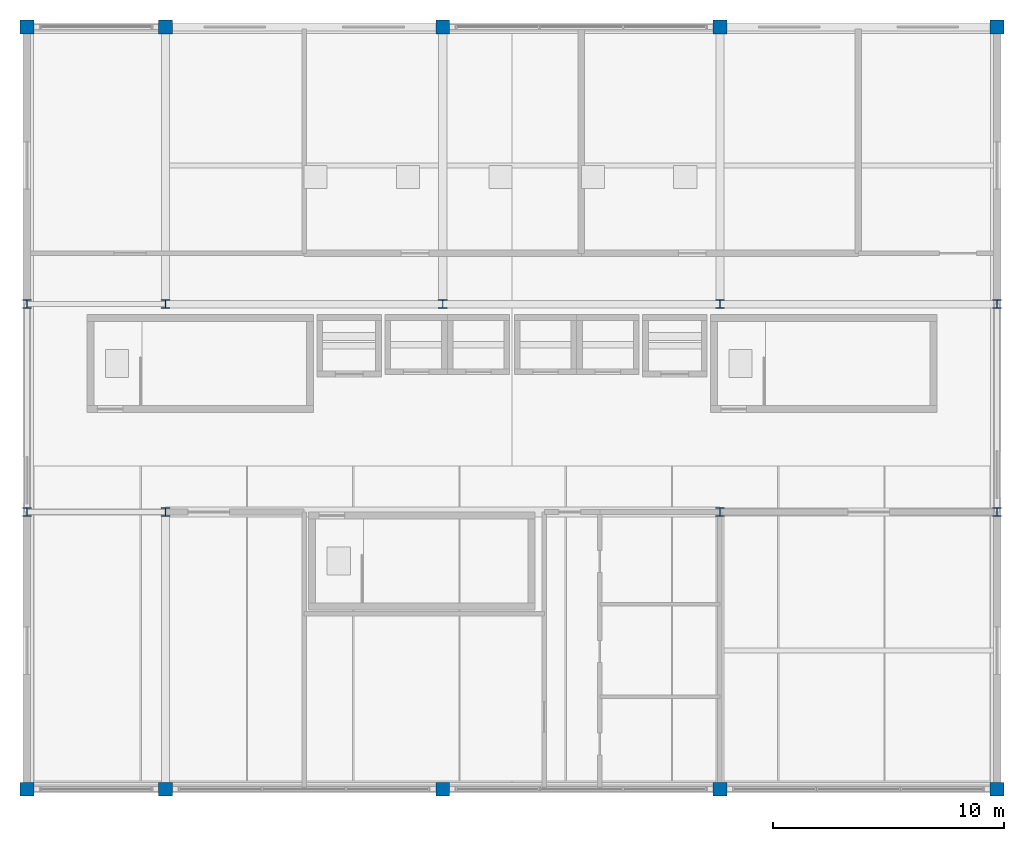
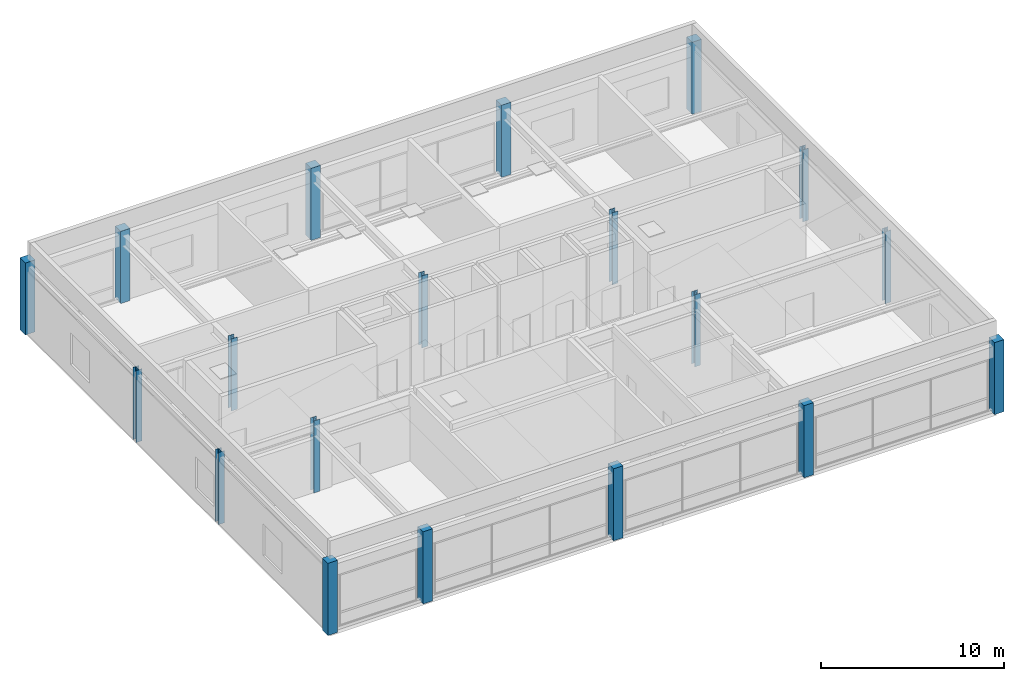
# One storey, part 1 of 16: 19 columns.
"""IFC4 building model written with IfcOpenShell, lengths in metres."""

import ifcopenshell
import ifcopenshell.guid

model = None  # the IFC model being written
_history = None  # IfcOwnerHistory: only IFC2X3 demands one
_inside = {}  # id of a spatial element -> (the spatial element, [elements in it])
_under = {}  # id of a project, library or spatial element -> (it, [spatial elements below it])
_declared = {}  # id of a project -> (the project, [libraries it declares])
_typed = {}  # id of a type object -> (the type object, [elements of that type])
_made_of = {}  # id of a material, layer set ... -> (it, [elements and type objects made of it])


def new_model(schema):
    """Start an empty IFC model of exactly this schema.

    Asked for "IFC4X3", IfcOpenShell would pick the latest addendum, in which some entities
    have other attributes; the version numbers below select the first issue.
    IFC2X3 requires an IfcOwnerHistory on every rooted entity: one is made here for all.
    """
    global model, _history
    if schema == "IFC4X3":
        model = ifcopenshell.file(schema_version=(4, 3, 0, 0))
    else:
        model = ifcopenshell.file(schema=schema)
    _inside.clear()
    _under.clear()
    _declared.clear()
    _typed.clear()
    _made_of.clear()
    _history = None
    if model.schema == "IFC2X3":
        org = make("IfcOrganization", Name="unknown")
        user = make(
            "IfcPersonAndOrganization",
            ThePerson=make("IfcPerson", FamilyName="unknown"),
            TheOrganization=org,
        )
        app = make(
            "IfcApplication",
            ApplicationDeveloper=org,
            Version="unknown",
            ApplicationFullName="unknown",
            ApplicationIdentifier="unknown",
        )
        _history = make(
            "IfcOwnerHistory",
            OwningUser=user,
            OwningApplication=app,
            ChangeAction="ADDED",
            CreationDate=0,
        )
    return model


def make(cls, **values):
    """One entity of the class cls with the attributes given. An attribute that is None is left unset."""
    return model.create_entity(
        cls, **{name: value for name, value in values.items() if value is not None}
    )


def rooted(cls, **values):
    """An entity with a GlobalId (a new one), such as an element, a storey or a relation."""
    return make(cls, GlobalId=ifcopenshell.guid.new(), OwnerHistory=_history, **values)


def si_unit(unit_type, name, prefix=None):
    """IfcSIUnit, for example si_unit("LENGTHUNIT", "METRE", prefix="MILLI")."""
    return make("IfcSIUnit", UnitType=unit_type, Prefix=prefix, Name=name)


def assignment(units):
    """IfcUnitAssignment: the units of a project."""
    return None if units is None else make("IfcUnitAssignment", Units=units)


def point(xyz):
    """IfcCartesianPoint."""
    return None if xyz is None else make("IfcCartesianPoint", Coordinates=xyz)


def direction(xyz):
    """IfcDirection."""
    return None if xyz is None else make("IfcDirection", DirectionRatios=xyz)


def frame(location, z_axis=None, x_axis=None):
    """IfcAxis2Placement3D, a coordinate frame: its origin and axes. An axis left out is left unset."""
    return make(
        "IfcAxis2Placement3D",
        Location=point(location),
        Axis=direction(z_axis),
        RefDirection=direction(x_axis),
    )


def frame_2d(location, x_axis=None):
    """IfcAxis2Placement2D, a coordinate frame in the plane: its origin and x axis."""
    return make(
        "IfcAxis2Placement2D", Location=point(location), RefDirection=direction(x_axis)
    )


def origin():
    """The frame at (0, 0, 0) with its axes left unset."""
    return frame((0.0, 0.0, 0.0))


def origin_2d():
    """The frame at (0, 0) in the plane with its x axis left unset."""
    return frame_2d((0.0, 0.0))


def place(relative_to, where):
    """IfcLocalPlacement: puts the frame where relative to a parent placement (None: the world)."""
    return make(
        "IfcLocalPlacement", PlacementRelTo=relative_to, RelativePlacement=where
    )


def context(
    kind, dimensions, precision=None, world=None, true_north=None, identifier=None
):
    """IfcGeometricRepresentationContext, for example the 3D "Model" context."""
    return make(
        "IfcGeometricRepresentationContext",
        ContextIdentifier=identifier,
        ContextType=kind,
        CoordinateSpaceDimension=dimensions,
        Precision=precision,
        WorldCoordinateSystem=world,
        TrueNorth=true_north,
    )


def subcontext(parent, identifier, kind, view, scale=None):
    """IfcGeometricRepresentationSubContext, for example "Body" below "Model"."""
    return make(
        "IfcGeometricRepresentationSubContext",
        ContextIdentifier=identifier,
        ContextType=kind,
        ParentContext=parent,
        TargetScale=scale,
        TargetView=view,
    )


def project(units=None, contexts=None):
    """IfcProject with its units and contexts."""
    return rooted(
        "IfcProject",
        Name="project",
        RepresentationContexts=contexts,
        UnitsInContext=assignment(units),
    )


def spatial(cls, under=None, at=None, **own):
    """A site, building, storey or space (cls), placed at a placement, below another one or the project."""
    s = rooted(cls, ObjectPlacement=at, **own)
    if under is not None:
        _under.setdefault(under.id(), (under, []))[1].append(s)
    return s


def profile(cls, at=None, kind="AREA", **sizes):
    """A parametric profile (cls). Its sizes go by their IFC names, for example OverallWidth=200.0."""
    return make(cls, ProfileType=kind, Position=at, **sizes)


def rectangle(**sizes):
    """IfcRectangleProfileDef."""
    return profile("IfcRectangleProfileDef", **sizes)


def i_section(**sizes):
    """IfcIShapeProfileDef."""
    return profile("IfcIShapeProfileDef", **sizes)


def extrude(swept, where, along, depth):
    """IfcExtrudedAreaSolid: the profile swept, set in the frame where, extruded along a direction by depth."""
    return make(
        "IfcExtrudedAreaSolid",
        SweptArea=swept,
        Position=where,
        ExtrudedDirection=direction(along),
        Depth=depth,
    )


def shape(context_of_items, identifier, shape_type, items):
    """IfcShapeRepresentation: the items that make up one representation, for example the "Body"."""
    return make(
        "IfcShapeRepresentation",
        ContextOfItems=context_of_items,
        RepresentationIdentifier=identifier,
        RepresentationType=shape_type,
        Items=items,
    )


def material(Name=None, Category=None):
    """IfcMaterial."""
    return make("IfcMaterial", Name=Name, Category=Category)


def material_profile(
    of_material, cross_section, Name=None, Category=None, Priority=None
):
    """IfcMaterialProfile: a cross section and its material."""
    return make(
        "IfcMaterialProfile",
        Name=Name,
        Material=of_material,
        Profile=cross_section,
        Priority=Priority,
        Category=Category,
    )


def profile_set(profiles, Name=None, composite=None):
    """IfcMaterialProfileSet."""
    return make(
        "IfcMaterialProfileSet",
        Name=Name,
        MaterialProfiles=profiles,
        CompositeProfile=composite,
    )


def made_of(thing, what):
    """Note that an element or type object is made of a material, layer set ...; save() writes the relation."""
    if what is not None:
        _made_of.setdefault(what.id(), (what, []))[1].append(thing)
    return thing


def type_object(cls, material=None, **own):
    """A type object (cls), such as IfcWallType, which elements share."""
    return made_of(rooted(cls, **own), material)


def element(
    cls,
    number,
    at=None,
    inside=None,
    cuts=None,
    type_object=None,
    material=None,
    context=None,
    identifier="Body",
    shape_type=None,
    held_by="IfcProductDefinitionShape",
    body=None,
    shapes=None,
    **own,
):
    """One element of the class cls, such as IfcWall. Its Tag is "e" and its number.

    at: its placement. inside: the storey or other place that contains it. cuts: it is an
    opening in that element (IfcRelVoidsElement). A single representation is given by context,
    identifier, shape_type and body (its items); several are given by shapes. held_by: the class
    of the entity that holds the representations. save() writes the other relations.
    """
    e = rooted(cls, Tag="e%d" % number, ObjectPlacement=at, **own)
    if body is not None:
        shapes = [shape(context, identifier, shape_type, body)]
    if shapes is not None:
        e.Representation = make(held_by, Representations=shapes)
    if inside is not None:
        _inside.setdefault(inside.id(), (inside, []))[1].append(e)
    if cuts is not None:
        rooted(
            "IfcRelVoidsElement", RelatingBuildingElement=cuts, RelatedOpeningElement=e
        )
    if type_object is not None:
        _typed.setdefault(type_object.id(), (type_object, []))[1].append(e)
    return made_of(e, material)


def aggregate(whole, parts):
    """IfcRelAggregates: a whole, such as a stair, and the parts it consists of."""
    return rooted("IfcRelAggregates", RelatingObject=whole, RelatedObjects=parts)


def save(model, path):
    """Write the relations noted so far, then the file.

    IfcRelAggregates (storeys below a building ...), IfcRelContainedInSpatialStructure (elements
    in a storey), IfcRelDefinesByType, IfcRelAssociatesMaterial and IfcRelDeclares: one each for
    every whole, place, type object, material and project.
    """
    for whole, parts in _under.values():
        aggregate(whole, parts)
    for where, things in _inside.values():
        rooted(
            "IfcRelContainedInSpatialStructure",
            RelatedElements=things,
            RelatingStructure=where,
        )
    for kind, things in _typed.values():
        rooted("IfcRelDefinesByType", RelatedObjects=things, RelatingType=kind)
    for what, things in _made_of.values():
        rooted("IfcRelAssociatesMaterial", RelatedObjects=things, RelatingMaterial=what)
    for by, libraries in _declared.values():
        rooted("IfcRelDeclares", RelatingContext=by, RelatedDefinitions=libraries)
    model.write(path)


model = new_model("IFC4")

# Units and contexts
model_context = context("Model", 3, precision=1e-05, world=origin(), true_north=direction((0.0, 1.0)))
body_context = subcontext(model_context, "Body", "Model", "MODEL_VIEW")
ifc_project = project(units=[si_unit("LENGTHUNIT", "METRE"), si_unit("AREAUNIT", "SQUARE_METRE"), si_unit("VOLUMEUNIT", "CUBIC_METRE"), si_unit("PLANEANGLEUNIT", "RADIAN"), si_unit("MASSUNIT", "GRAM", prefix="KILO")], contexts=[model_context])

# Site, building, storey
site_placement = place(None, origin())
site = spatial("IfcSite", under=ifc_project, at=site_placement, CompositionType="ELEMENT")
building_placement = place(site_placement, origin())
building = spatial("IfcBuilding", under=site, at=building_placement, Name="Kaldorvane Square Convention Centre", CompositionType="ELEMENT")
storey_placement = place(building_placement, frame((0.0, 0.0, 70.80000305175781)))
storey = spatial("IfcBuildingStorey", under=building, at=storey_placement, Name="L17", CompositionType="ELEMENT", Elevation=70.80000305175781)

# Columns
ifc_material_1 = material(Name="Concrete f'c = 42 MPa (Normalweight)", Category="concrete")
ifc_material_profile_1 = material_profile(ifc_material_1, rectangle(XDim=0.600006103515625, YDim=0.600006103515625, at=origin_2d()), Name="RC600X600")
ifc_profile_set_1 = profile_set([ifc_material_profile_1], Name="Concrete f'c = 42 MPa (Normalweight)")
column_type_1 = type_object("IfcColumnType", Name="COL-RC-600", PredefinedType="COLUMN", material=ifc_profile_set_1)
for number, where, z_axis, x_axis, name in (
    (1, (36.0, 84.0, 0.0), (0.0, 0.0, 1.0), (1.0, 0.0, 0.0), "Column CC-07 (L17)"),
    (2, (36.0, 117.0, 0.0), (0.0, 0.0, 1.0), (1.0, 0.0, 0.0), "Column CC-07 (L17)"),
    (3, (42.0, 84.0, 0.0), (0.0, 0.0, 1.0), (1.0, 0.0, 0.0), "Column CC-07 (L17)"),
    (4, (42.0, 117.0, 0.0), (0.0, 0.0, 1.0), (1.0, 0.0, 0.0), "Column CC-07 (L17)"),
    (5, (54.0, 84.0, 0.0), (0.0, 0.0, 1.0), (1.0, 0.0, 0.0), "Column CC-07 (L17)"),
    (6, (54.0, 117.0, 0.0), (0.0, 0.0, 1.0), (1.0, 0.0, 0.0), "Column CC-07 (L17)"),
    (7, (66.0, 84.0, 0.0), (0.0, 0.0, 1.0), (1.0, 0.0, 0.0), "Column CC-07 (L17)"),
    (8, (66.0, 117.0, 0.0), (0.0, 0.0, 1.0), (1.0, 0.0, 0.0), "Column CC-07 (L17)"),
    (9, (78.0, 84.0, 0.0), (0.0, 0.0, 1.0), (1.0, 0.0, 0.0), "Column CC-07 (L17)"),
    (10, (78.0, 117.0, 0.0), (0.0, 0.0, 1.0), (1.0, 0.0, 0.0), "Column CC-07 (L17)"),
):
    element("IfcColumn", number, at=place(storey_placement, frame(where, z_axis=z_axis, x_axis=x_axis)), inside=storey, type_object=column_type_1, Name=name, PredefinedType="COLUMN", context=body_context, shape_type="SweptSolid", body=[
        extrude(rectangle(XDim=0.600006103515625, YDim=0.600006103515625, at=origin_2d()), origin(), (0.0, 0.0, 1.0), 4.8000030517578125),
    ])
ifc_material_2 = material(Name="Steel ASTM A992 Gr. 50", Category="steel")
ifc_material_profile_2 = material_profile(ifc_material_2, i_section(OverallWidth=0.3726043701171875, OverallDepth=0.3677978515625, WebThickness=0.0149993896484375, FlangeThickness=0.023895263671875, FilletRadius=0.0305023193359375, at=origin_2d()), Name="W14X120")
ifc_profile_set_2 = profile_set([ifc_material_profile_2], Name="Steel ASTM A992 Gr. 50")
column_type_2 = type_object("IfcColumnType", Name="COL-STL-120", PredefinedType="COLUMN", material=ifc_profile_set_2)
for number, where, z_axis, x_axis, name in (
    (11, (36.0, 96.0, 0.0), (0.0, 0.0, 1.0), (1.0, 0.0, 0.0), "Column SC-11 (L17)"),
    (12, (36.0, 105.0, 0.0), (0.0, 0.0, 1.0), (1.0, 0.0, 0.0), "Column SC-11 (L17)"),
    (13, (42.0, 96.0, 0.0), (0.0, 0.0, 1.0), (1.0, 0.0, 0.0), "Column SC-11 (L17)"),
    (14, (42.0, 105.0, 0.0), (0.0, 0.0, 1.0), (1.0, 0.0, 0.0), "Column SC-11 (L17)"),
    (15, (54.0, 105.0, 0.0), (0.0, 0.0, 1.0), (1.0, 0.0, 0.0), "Column SC-11 (L17)"),
    (16, (66.0, 96.0, 0.0), (0.0, 0.0, 1.0), (1.0, 0.0, 0.0), "Column SC-11 (L17)"),
    (17, (66.0, 105.0, 0.0), (0.0, 0.0, 1.0), (1.0, 0.0, 0.0), "Column SC-11 (L17)"),
    (18, (78.0, 96.0, 0.0), (0.0, 0.0, 1.0), (1.0, 0.0, 0.0), "Column SC-11 (L17)"),
    (19, (78.0, 105.0, 0.0), (0.0, 0.0, 1.0), (1.0, 0.0, 0.0), "Column SC-11 (L17)"),
):
    element("IfcColumn", number, at=place(storey_placement, frame(where, z_axis=z_axis, x_axis=x_axis)), inside=storey, type_object=column_type_2, Name=name, PredefinedType="COLUMN", context=body_context, shape_type="SweptSolid", body=[
        extrude(i_section(OverallWidth=0.3726043701171875, OverallDepth=0.3677978515625, WebThickness=0.0149993896484375, FlangeThickness=0.023895263671875, FilletRadius=0.0305023193359375, at=origin_2d()), origin(), (0.0, 0.0, 1.0), 4.8000030517578125),
    ])

save(model, "model.ifc")
